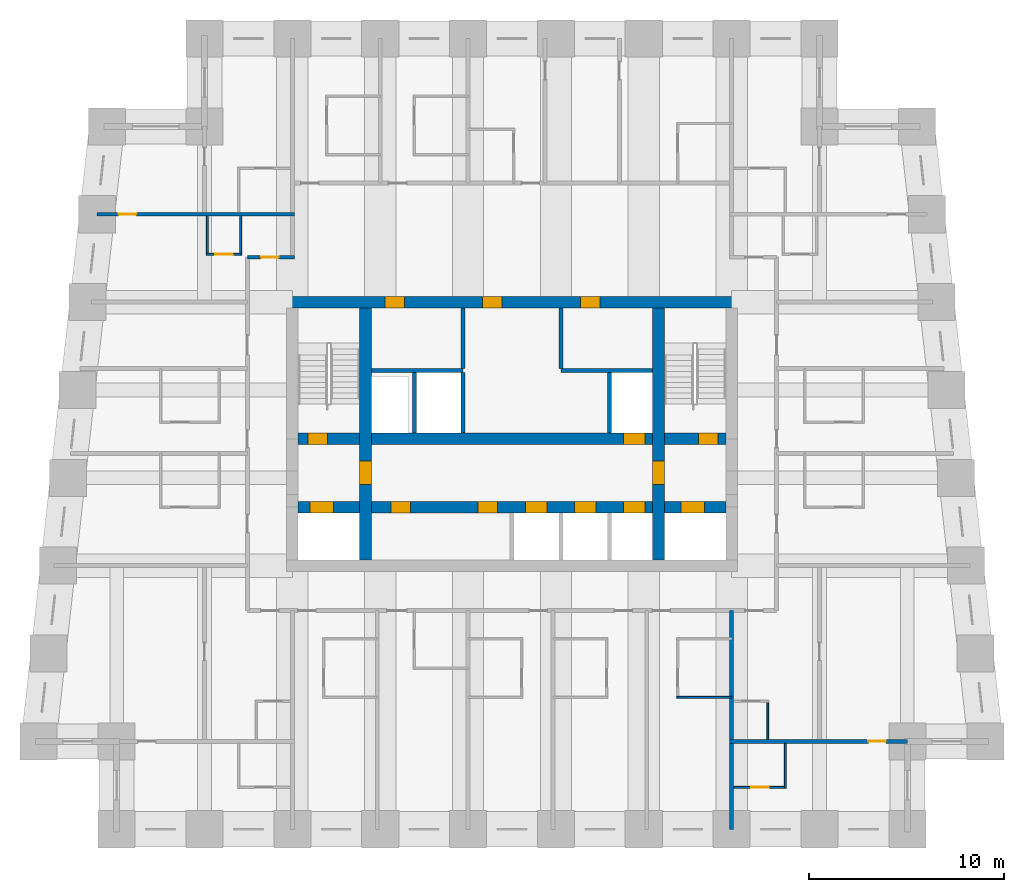
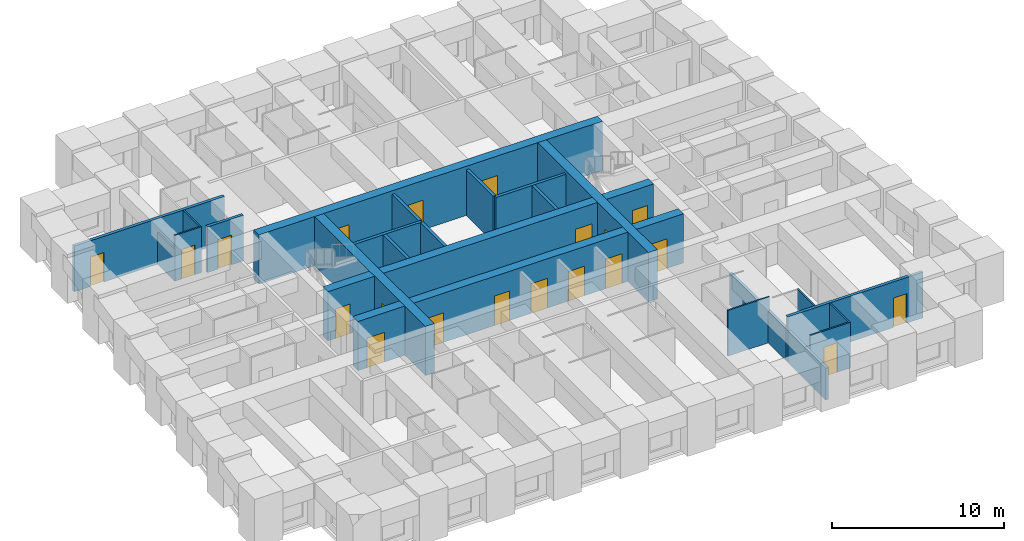
# One storey, part 4 of 8: 23 walls, 20 doors, 20 openings.
"""IFC4 building model written with IfcOpenShell, lengths in metres."""

import ifcopenshell
import ifcopenshell.guid

model = None  # the IFC model being written
_history = None  # IfcOwnerHistory: only IFC2X3 demands one
_inside = {}  # id of a spatial element -> (the spatial element, [elements in it])
_under = {}  # id of a project, library or spatial element -> (it, [spatial elements below it])
_declared = {}  # id of a project -> (the project, [libraries it declares])
_typed = {}  # id of a type object -> (the type object, [elements of that type])
_made_of = {}  # id of a material, layer set ... -> (it, [elements and type objects made of it])


def new_model(schema):
    """Start an empty IFC model of exactly this schema.

    Asked for "IFC4X3", IfcOpenShell would pick the latest addendum, in which some entities
    have other attributes; the version numbers below select the first issue.
    IFC2X3 requires an IfcOwnerHistory on every rooted entity: one is made here for all.
    """
    global model, _history
    if schema == "IFC4X3":
        model = ifcopenshell.file(schema_version=(4, 3, 0, 0))
    else:
        model = ifcopenshell.file(schema=schema)
    _inside.clear()
    _under.clear()
    _declared.clear()
    _typed.clear()
    _made_of.clear()
    _history = None
    if model.schema == "IFC2X3":
        org = make("IfcOrganization", Name="unknown")
        user = make(
            "IfcPersonAndOrganization",
            ThePerson=make("IfcPerson", FamilyName="unknown"),
            TheOrganization=org,
        )
        app = make(
            "IfcApplication",
            ApplicationDeveloper=org,
            Version="unknown",
            ApplicationFullName="unknown",
            ApplicationIdentifier="unknown",
        )
        _history = make(
            "IfcOwnerHistory",
            OwningUser=user,
            OwningApplication=app,
            ChangeAction="ADDED",
            CreationDate=0,
        )
    return model


def make(cls, **values):
    """One entity of the class cls with the attributes given. An attribute that is None is left unset."""
    return model.create_entity(
        cls, **{name: value for name, value in values.items() if value is not None}
    )


def rooted(cls, **values):
    """An entity with a GlobalId (a new one), such as an element, a storey or a relation."""
    return make(cls, GlobalId=ifcopenshell.guid.new(), OwnerHistory=_history, **values)


def si_unit(unit_type, name, prefix=None):
    """IfcSIUnit, for example si_unit("LENGTHUNIT", "METRE", prefix="MILLI")."""
    return make("IfcSIUnit", UnitType=unit_type, Prefix=prefix, Name=name)


def assignment(units):
    """IfcUnitAssignment: the units of a project."""
    return None if units is None else make("IfcUnitAssignment", Units=units)


def point(xyz):
    """IfcCartesianPoint."""
    return None if xyz is None else make("IfcCartesianPoint", Coordinates=xyz)


def direction(xyz):
    """IfcDirection."""
    return None if xyz is None else make("IfcDirection", DirectionRatios=xyz)


def frame(location, z_axis=None, x_axis=None):
    """IfcAxis2Placement3D, a coordinate frame: its origin and axes. An axis left out is left unset."""
    return make(
        "IfcAxis2Placement3D",
        Location=point(location),
        Axis=direction(z_axis),
        RefDirection=direction(x_axis),
    )


def frame_2d(location, x_axis=None):
    """IfcAxis2Placement2D, a coordinate frame in the plane: its origin and x axis."""
    return make(
        "IfcAxis2Placement2D", Location=point(location), RefDirection=direction(x_axis)
    )


def origin():
    """The frame at (0, 0, 0) with its axes left unset."""
    return frame((0.0, 0.0, 0.0))


def place(relative_to, where):
    """IfcLocalPlacement: puts the frame where relative to a parent placement (None: the world)."""
    return make(
        "IfcLocalPlacement", PlacementRelTo=relative_to, RelativePlacement=where
    )


def context(
    kind, dimensions, precision=None, world=None, true_north=None, identifier=None
):
    """IfcGeometricRepresentationContext, for example the 3D "Model" context."""
    return make(
        "IfcGeometricRepresentationContext",
        ContextIdentifier=identifier,
        ContextType=kind,
        CoordinateSpaceDimension=dimensions,
        Precision=precision,
        WorldCoordinateSystem=world,
        TrueNorth=true_north,
    )


def subcontext(parent, identifier, kind, view, scale=None):
    """IfcGeometricRepresentationSubContext, for example "Body" below "Model"."""
    return make(
        "IfcGeometricRepresentationSubContext",
        ContextIdentifier=identifier,
        ContextType=kind,
        ParentContext=parent,
        TargetScale=scale,
        TargetView=view,
    )


def project(units=None, contexts=None):
    """IfcProject with its units and contexts."""
    return rooted(
        "IfcProject",
        Name="project",
        RepresentationContexts=contexts,
        UnitsInContext=assignment(units),
    )


def spatial(cls, under=None, at=None, **own):
    """A site, building, storey or space (cls), placed at a placement, below another one or the project."""
    s = rooted(cls, ObjectPlacement=at, **own)
    if under is not None:
        _under.setdefault(under.id(), (under, []))[1].append(s)
    return s


def profile(cls, at=None, kind="AREA", **sizes):
    """A parametric profile (cls). Its sizes go by their IFC names, for example OverallWidth=200.0."""
    return make(cls, ProfileType=kind, Position=at, **sizes)


def rectangle(**sizes):
    """IfcRectangleProfileDef."""
    return profile("IfcRectangleProfileDef", **sizes)


def extrude(swept, where, along, depth):
    """IfcExtrudedAreaSolid: the profile swept, set in the frame where, extruded along a direction by depth."""
    return make(
        "IfcExtrudedAreaSolid",
        SweptArea=swept,
        Position=where,
        ExtrudedDirection=direction(along),
        Depth=depth,
    )


def shape(context_of_items, identifier, shape_type, items):
    """IfcShapeRepresentation: the items that make up one representation, for example the "Body"."""
    return make(
        "IfcShapeRepresentation",
        ContextOfItems=context_of_items,
        RepresentationIdentifier=identifier,
        RepresentationType=shape_type,
        Items=items,
    )


def material(Name=None, Category=None):
    """IfcMaterial."""
    return make("IfcMaterial", Name=Name, Category=Category)


def layer(
    of_material, thickness, ventilated=None, Name=None, Category=None, Priority=None
):
    """IfcMaterialLayer: one layer of a wall or slab, of a material (None: an air gap)."""
    return make(
        "IfcMaterialLayer",
        Material=of_material,
        LayerThickness=thickness,
        IsVentilated=ventilated,
        Name=Name,
        Category=Category,
        Priority=Priority,
    )


def layer_set(layers, Name=None):
    """IfcMaterialLayerSet."""
    return make("IfcMaterialLayerSet", MaterialLayers=layers, LayerSetName=Name)


def made_of(thing, what):
    """Note that an element or type object is made of a material, layer set ...; save() writes the relation."""
    if what is not None:
        _made_of.setdefault(what.id(), (what, []))[1].append(thing)
    return thing


def type_object(cls, material=None, **own):
    """A type object (cls), such as IfcWallType, which elements share."""
    return made_of(rooted(cls, **own), material)


def element(
    cls,
    number,
    at=None,
    inside=None,
    cuts=None,
    type_object=None,
    material=None,
    context=None,
    identifier="Body",
    shape_type=None,
    held_by="IfcProductDefinitionShape",
    body=None,
    shapes=None,
    **own,
):
    """One element of the class cls, such as IfcWall. Its Tag is "e" and its number.

    at: its placement. inside: the storey or other place that contains it. cuts: it is an
    opening in that element (IfcRelVoidsElement). A single representation is given by context,
    identifier, shape_type and body (its items); several are given by shapes. held_by: the class
    of the entity that holds the representations. save() writes the other relations.
    """
    e = rooted(cls, Tag="e%d" % number, ObjectPlacement=at, **own)
    if body is not None:
        shapes = [shape(context, identifier, shape_type, body)]
    if shapes is not None:
        e.Representation = make(held_by, Representations=shapes)
    if inside is not None:
        _inside.setdefault(inside.id(), (inside, []))[1].append(e)
    if cuts is not None:
        rooted(
            "IfcRelVoidsElement", RelatingBuildingElement=cuts, RelatedOpeningElement=e
        )
    if type_object is not None:
        _typed.setdefault(type_object.id(), (type_object, []))[1].append(e)
    return made_of(e, material)


def fill(opening, filler):
    """IfcRelFillsElement: the door or window that sits in an opening."""
    return rooted(
        "IfcRelFillsElement",
        RelatingOpeningElement=opening,
        RelatedBuildingElement=filler,
    )


def aggregate(whole, parts):
    """IfcRelAggregates: a whole, such as a stair, and the parts it consists of."""
    return rooted("IfcRelAggregates", RelatingObject=whole, RelatedObjects=parts)


def save(model, path):
    """Write the relations noted so far, then the file.

    IfcRelAggregates (storeys below a building ...), IfcRelContainedInSpatialStructure (elements
    in a storey), IfcRelDefinesByType, IfcRelAssociatesMaterial and IfcRelDeclares: one each for
    every whole, place, type object, material and project.
    """
    for whole, parts in _under.values():
        aggregate(whole, parts)
    for where, things in _inside.values():
        rooted(
            "IfcRelContainedInSpatialStructure",
            RelatedElements=things,
            RelatingStructure=where,
        )
    for kind, things in _typed.values():
        rooted("IfcRelDefinesByType", RelatedObjects=things, RelatingType=kind)
    for what, things in _made_of.values():
        rooted("IfcRelAssociatesMaterial", RelatedObjects=things, RelatingMaterial=what)
    for by, libraries in _declared.values():
        rooted("IfcRelDeclares", RelatingContext=by, RelatedDefinitions=libraries)
    model.write(path)


model = new_model("IFC4")

# Units and contexts
model_context = context("Model", 3, precision=1e-05, world=origin(), true_north=direction((0.0, 1.0)))
body_context = subcontext(model_context, "Body", "Model", "MODEL_VIEW")
ifc_project = project(units=[si_unit("LENGTHUNIT", "METRE"), si_unit("AREAUNIT", "SQUARE_METRE"), si_unit("VOLUMEUNIT", "CUBIC_METRE"), si_unit("PLANEANGLEUNIT", "RADIAN"), si_unit("MASSUNIT", "GRAM", prefix="KILO")], contexts=[model_context])

# Site, building, storey
site_placement = place(None, origin())
site = spatial("IfcSite", under=ifc_project, at=site_placement, CompositionType="ELEMENT")
building_placement = place(site_placement, origin())
building = spatial("IfcBuilding", under=site, at=building_placement, Name="Kilele Tower Hotel", CompositionType="ELEMENT")
storey_placement = place(building_placement, frame((0.0, 0.0, 107.39990234375)))
storey = spatial("IfcBuildingStorey", under=building, at=storey_placement, Name="L27", CompositionType="ELEMENT", Elevation=107.39990234375)

# Walls
ifc_material_1 = material(Name="Moisture-resistant board")
ifc_layer_1 = layer(ifc_material_1, 0.10009765625)
ifc_layer_set_1 = layer_set([ifc_layer_1], Name="Moisture-resistant board")
wall_type_1 = type_object("IfcWallType", Name="Bathroom partition 100", PredefinedType="PLUMBINGWALL", material=ifc_layer_set_1)
wall_1_placement = place(storey_placement, frame((33.199951171875, 6.75, 0.0), z_axis=(0.0, 0.0, 1.0), x_axis=(1.0, 0.0, 0.0)))
element("IfcWall", 1, at=wall_1_placement, inside=storey, type_object=wall_type_1, Name="Bathroom partition 100 L27", PredefinedType="PLUMBINGWALL", context=body_context, shape_type="SweptSolid", body=[
    extrude(rectangle(XDim=2.800048828125, YDim=0.10009765625, at=frame_2d((1.39990234375, 0.0))), origin(), (0.0, 0.0, 1.0), 3.25),
])
wall_2_placement = place(storey_placement, frame((37.85009765625, 4.60009765625, 0.0), z_axis=(0.0, 0.0, 1.0), x_axis=(0.0, 1.0, 0.0)))
element("IfcWall", 2, at=wall_2_placement, inside=storey, type_object=wall_type_1, Name="Bathroom partition 100 L27", PredefinedType="PLUMBINGWALL", context=body_context, shape_type="SweptSolid", body=[
    extrude(rectangle(XDim=2.0, YDim=0.10009765625, at=frame_2d((1.0, 0.0))), origin(), (0.0, 0.0, 1.0), 3.25),
])
wall_3_placement = place(storey_placement, frame((38.75, 4.39990234375, 0.0), z_axis=(0.0, 0.0, 1.0), x_axis=(0.0, -1.0, 0.0)))
element("IfcWall", 3, at=wall_3_placement, inside=storey, type_object=wall_type_1, Name="Bathroom partition 100 L27", PredefinedType="PLUMBINGWALL", context=body_context, shape_type="SweptSolid", body=[
    extrude(rectangle(XDim=2.2998046875, YDim=0.10009765625, at=frame_2d((1.14990234375, 0.0))), origin(), (0.0, 0.0, 1.0), 3.25),
])

# Wall, opening, door
wall_4_placement = place(storey_placement, frame((36.10009765625, 2.14990234375, 0.0), z_axis=(0.0, 0.0, 1.0), x_axis=(1.0, 0.0, 0.0)))
wall_4 = element("IfcWall", 4, at=wall_4_placement, inside=storey, type_object=wall_type_1, Name="Bathroom partition 100 L27", PredefinedType="PLUMBINGWALL", context=body_context, shape_type="SweptSolid", body=[
    extrude(rectangle(XDim=2.699951171875, YDim=0.10009765625, at=frame_2d((1.35009765625, 0.0))), origin(), (0.0, 0.0, 1.0), 3.25),
])
opening_1_placement = place(wall_4_placement, frame((1.7998046875, 0.0, 0.0), z_axis=(0.0, 0.0, 1.0), x_axis=(-1.0, 0.0, 0.0)))
opening_1 = element("IfcOpeningElement", 5, at=opening_1_placement, cuts=wall_4, Name="Opening D2A", PredefinedType="OPENING", context=body_context, shape_type="SweptSolid", body=[
    extrude(rectangle(XDim=0.89990234375, YDim=2.10009765625, at=frame_2d((0.449951171875, 1.050048828125))), frame((0.0, 0.06005859375, 0.0), z_axis=(0.0, -1.0, 0.0), x_axis=(1.0, 0.0, 0.0)), (0.0, 0.0, 1.0), 0.1201171875),
])
ifc_material_2 = material(Name="Timber door leaf in hardwood frame", Category="wood")
door_type_1 = type_object("IfcDoorType", Name="Bathroom door 900", OperationType="SINGLE_SWING_LEFT", PredefinedType="DOOR", material=ifc_material_2)
door_1_placement = place(opening_1_placement, origin())
door_1 = element("IfcDoor", 6, at=door_1_placement, inside=storey, type_object=door_type_1, Name="Bathroom door 2722B", OperationType="SINGLE_SWING_RIGHT", OverallHeight=2.10009765625, OverallWidth=0.89990234375, PredefinedType="DOOR", context=body_context, shape_type="SweptSolid", body=[
    extrude(rectangle(XDim=0.89990234375, YDim=2.10009765625, at=frame_2d((0.449951171875, 1.050048828125))), frame((0.0, 0.02490234375, 0.0), z_axis=(0.0, -1.0, 0.0), x_axis=(1.0, 0.0, 0.0)), (0.0, 0.0, 1.0), 0.050048828125),
])
fill(opening_1, door_1)

# Walls
wall_5_placement = place(storey_placement, frame((9.14990234375, 31.39990234375, 0.0), z_axis=(0.0, 0.0, 1.0), x_axis=(0.0, -1.0, 0.0)))
element("IfcWall", 7, at=wall_5_placement, inside=storey, type_object=wall_type_1, Name="Bathroom partition 100 L27", PredefinedType="PLUMBINGWALL", context=body_context, shape_type="SweptSolid", body=[
    extrude(rectangle(XDim=2.0, YDim=0.10009765625, at=frame_2d((1.0, 0.0))), origin(), (0.0, 0.0, 1.0), 2.25),
])
wall_6_placement = place(storey_placement, frame((10.85009765625, 31.39990234375, 0.0), z_axis=(0.0, 0.0, 1.0), x_axis=(0.0, -1.0, 0.0)))
element("IfcWall", 8, at=wall_6_placement, inside=storey, type_object=wall_type_1, Name="Bathroom partition 100 L27", PredefinedType="PLUMBINGWALL", context=body_context, shape_type="SweptSolid", body=[
    extrude(rectangle(XDim=2.0, YDim=0.10009765625, at=frame_2d((1.0, 0.0))), origin(), (0.0, 0.0, 1.0), 3.25),
])

# Wall, opening, door
wall_7_placement = place(storey_placement, frame((10.89990234375, 29.449951171875, 0.0), z_axis=(0.0, 0.0, 1.0), x_axis=(-1.0, 0.0, 0.0)))
wall_7 = element("IfcWall", 9, at=wall_7_placement, inside=storey, type_object=wall_type_1, Name="Bathroom partition 100 L27", PredefinedType="PLUMBINGWALL", context=body_context, shape_type="SweptSolid", body=[
    extrude(rectangle(XDim=1.7998046875, YDim=0.10009765625, at=frame_2d((0.89990234375, 0.0))), origin(), (0.0, 0.0, 1.0), 3.25),
])
opening_2_placement = place(wall_7_placement, frame((0.449951171875, 0.0, 0.0)))
opening_2 = element("IfcOpeningElement", 10, at=opening_2_placement, cuts=wall_7, Name="Opening D2A", PredefinedType="OPENING", context=body_context, shape_type="SweptSolid", body=[
    extrude(rectangle(XDim=0.89990234375, YDim=2.10009765625, at=frame_2d((0.449951171875, 1.050048828125))), frame((0.0, 0.06005859375, 0.0), z_axis=(0.0, -1.0, 0.0), x_axis=(1.0, 0.0, 0.0)), (0.0, 0.0, 1.0), 0.1201171875),
])
door_2_placement = place(opening_2_placement, origin())
door_2 = element("IfcDoor", 11, at=door_2_placement, inside=storey, type_object=door_type_1, Name="Bathroom door 2726P", OperationType="SINGLE_SWING_LEFT", OverallHeight=2.10009765625, OverallWidth=0.89990234375, PredefinedType="DOOR", context=body_context, shape_type="SweptSolid", body=[
    extrude(rectangle(XDim=0.89990234375, YDim=2.10009765625, at=frame_2d((0.449951171875, 1.050048828125))), frame((0.0, 0.02490234375, 0.0), z_axis=(0.0, -1.0, 0.0), x_axis=(1.0, 0.0, 0.0)), (0.0, 0.0, 1.0), 0.050048828125),
])
fill(opening_2, door_2)

# Wall, openings, doors
ifc_material_3 = material(Name="Concrete C60/75", Category="concrete")
ifc_layer_2 = layer(ifc_material_3, 0.60009765625)
ifc_layer_set_2 = layer_set([ifc_layer_2], Name="Concrete C60/75")
wall_type_2 = type_object("IfcWallType", Name="Core wall 600 C60/75", PredefinedType="SHEAR", material=ifc_layer_set_2)
wall_8_placement = place(storey_placement, frame((36.300048828125, 27.0, 0.0), z_axis=(0.0, 0.0, 1.0), x_axis=(-1.0, 0.0, 0.0)))
wall_8 = element("IfcWall", 12, at=wall_8_placement, inside=storey, type_object=wall_type_2, Name="Core wall N L27", PredefinedType="SHEAR", context=body_context, shape_type="SweptSolid", body=[
    extrude(rectangle(XDim=23.10009765625, YDim=0.60009765625, at=frame_2d((11.550048828125, 0.0))), origin(), (0.0, 0.0, 1.0), 3.5),
])
opening_3_placement = place(wall_8_placement, frame((17.050048828125, 0.0, 0.0)))
opening_3 = element("IfcOpeningElement", 13, at=opening_3_placement, cuts=wall_8, Name="Opening D6", PredefinedType="OPENING", context=body_context, shape_type="SweptSolid", body=[
    extrude(rectangle(XDim=1.0, YDim=2.10009765625, at=frame_2d((0.5, 1.050048828125))), frame((0.0, 0.31005859375, 0.0), z_axis=(0.0, -1.0, 0.0), x_axis=(1.0, 0.0, 0.0)), (0.0, 0.0, 1.0), 0.6201171875),
])
opening_4_placement = place(wall_8_placement, frame((12.050048828125, 0.0, 0.0)))
opening_4 = element("IfcOpeningElement", 14, at=opening_4_placement, cuts=wall_8, Name="Opening D6", PredefinedType="OPENING", context=body_context, shape_type="SweptSolid", body=[
    extrude(rectangle(XDim=1.0, YDim=2.10009765625, at=frame_2d((0.5, 1.050048828125))), frame((0.0, 0.31005859375, 0.0), z_axis=(0.0, -1.0, 0.0), x_axis=(1.0, 0.0, 0.0)), (0.0, 0.0, 1.0), 0.6201171875),
])
opening_5_placement = place(wall_8_placement, frame((7.050048828125, 0.0, 0.0)))
opening_5 = element("IfcOpeningElement", 15, at=opening_5_placement, cuts=wall_8, Name="Opening D6", PredefinedType="OPENING", context=body_context, shape_type="SweptSolid", body=[
    extrude(rectangle(XDim=1.0, YDim=2.10009765625, at=frame_2d((0.5, 1.050048828125))), frame((0.0, 0.31005859375, 0.0), z_axis=(0.0, -1.0, 0.0), x_axis=(1.0, 0.0, 0.0)), (0.0, 0.0, 1.0), 0.6201171875),
])
ifc_material_4 = material(Name="Timber door leaf in hardwood frame", Category="wood")
door_type_2 = type_object("IfcDoorType", Name="Riser door 1000", OperationType="SINGLE_SWING_LEFT", PredefinedType="DOOR", material=ifc_material_4)
door_3_placement = place(opening_3_placement, origin())
door_3 = element("IfcDoor", 16, at=door_3_placement, inside=storey, type_object=door_type_2, Name="Service riser door L27", OperationType="SINGLE_SWING_RIGHT", OverallHeight=2.10009765625, OverallWidth=1.0, PredefinedType="DOOR", context=body_context, shape_type="SweptSolid", body=[
    extrude(rectangle(XDim=1.0, YDim=2.10009765625, at=frame_2d((0.5, 1.050048828125))), frame((0.0, 0.2998046875, 0.0), z_axis=(0.0, -1.0, 0.0), x_axis=(1.0, 0.0, 0.0)), (0.0, 0.0, 1.0), 0.599609375),
])
fill(opening_3, door_3)
door_4_placement = place(opening_4_placement, origin())
door_4 = element("IfcDoor", 17, at=door_4_placement, inside=storey, type_object=door_type_2, Name="Housekeeping linen room door L27", OperationType="SINGLE_SWING_RIGHT", OverallHeight=2.10009765625, OverallWidth=1.0, PredefinedType="DOOR", context=body_context, shape_type="SweptSolid", body=[
    extrude(rectangle(XDim=1.0, YDim=2.10009765625, at=frame_2d((0.5, 1.050048828125))), frame((0.0, 0.2998046875, 0.0), z_axis=(0.0, -1.0, 0.0), x_axis=(1.0, 0.0, 0.0)), (0.0, 0.0, 1.0), 0.599609375),
])
fill(opening_4, door_4)
door_5_placement = place(opening_5_placement, origin())
door_5 = element("IfcDoor", 18, at=door_5_placement, inside=storey, type_object=door_type_2, Name="Electrical riser door L27", OperationType="SINGLE_SWING_RIGHT", OverallHeight=2.10009765625, OverallWidth=1.0, PredefinedType="DOOR", context=body_context, shape_type="SweptSolid", body=[
    extrude(rectangle(XDim=1.0, YDim=2.10009765625, at=frame_2d((0.5, 1.050048828125))), frame((0.0, 0.2998046875, 0.0), z_axis=(0.0, -1.0, 0.0), x_axis=(1.0, 0.0, 0.0)), (0.0, 0.0, 1.0), 0.599609375),
])
fill(opening_5, door_5)

# Wall, opening, door
wall_9_placement = place(storey_placement, frame((17.25, 13.800048828125, 0.0), z_axis=(0.0, 0.0, 1.0), x_axis=(0.0, 1.0, 0.0)))
wall_9 = element("IfcWall", 19, at=wall_9_placement, inside=storey, type_object=wall_type_2, Name="Core wall IW L27", PredefinedType="SHEAR", context=body_context, shape_type="SweptSolid", body=[
    extrude(rectangle(XDim=12.89990234375, YDim=0.60009765625, at=frame_2d((6.449951171875, 0.0))), origin(), (0.0, 0.0, 1.0), 3.5),
])
opening_6_placement = place(wall_9_placement, frame((3.85009765625, 0.0, 0.0)))
opening_6 = element("IfcOpeningElement", 20, at=opening_6_placement, cuts=wall_9, Name="Opening D4", PredefinedType="OPENING", context=body_context, shape_type="SweptSolid", body=[
    extrude(rectangle(XDim=1.199951171875, YDim=2.10009765625, at=frame_2d((0.60009765625, 1.050048828125))), frame((0.0, 0.31005859375, 0.0), z_axis=(0.0, -1.0, 0.0), x_axis=(1.0, 0.0, 0.0)), (0.0, 0.0, 1.0), 0.6201171875),
])
ifc_material_5 = material(Name="Timber door leaf in hardwood frame", Category="wood")
door_type_3 = type_object("IfcDoorType", Name="Firefighting lobby door 1200", OperationType="SINGLE_SWING_LEFT", PredefinedType="DOOR", material=ifc_material_5)
door_6_placement = place(opening_6_placement, origin())
door_6 = element("IfcDoor", 21, at=door_6_placement, inside=storey, type_object=door_type_3, Name="Lobby door L27", OperationType="SINGLE_SWING_LEFT", OverallHeight=2.10009765625, OverallWidth=1.199951171875, PredefinedType="DOOR", context=body_context, shape_type="SweptSolid", body=[
    extrude(rectangle(XDim=1.199951171875, YDim=2.10009765625, at=frame_2d((0.60009765625, 1.050048828125))), frame((0.0, 0.2998046875, 0.0), z_axis=(0.0, -1.0, 0.0), x_axis=(1.0, 0.0, 0.0)), (0.0, 0.0, 1.0), 0.599609375),
])
fill(opening_6, door_6)

wall_10_placement = place(storey_placement, frame((32.25, 13.800048828125, 0.0), z_axis=(0.0, 0.0, 1.0), x_axis=(0.0, 1.0, 0.0)))
wall_10 = element("IfcWall", 22, at=wall_10_placement, inside=storey, type_object=wall_type_2, Name="Core wall IE L27", PredefinedType="SHEAR", context=body_context, shape_type="SweptSolid", body=[
    extrude(rectangle(XDim=12.89990234375, YDim=0.60009765625, at=frame_2d((6.449951171875, 0.0))), origin(), (0.0, 0.0, 1.0), 3.5),
])
opening_7_placement = place(wall_10_placement, frame((5.050048828125, 0.0, 0.0), z_axis=(0.0, 0.0, 1.0), x_axis=(-1.0, 0.0, 0.0)))
opening_7 = element("IfcOpeningElement", 23, at=opening_7_placement, cuts=wall_10, Name="Opening D4", PredefinedType="OPENING", context=body_context, shape_type="SweptSolid", body=[
    extrude(rectangle(XDim=1.199951171875, YDim=2.10009765625, at=frame_2d((0.60009765625, 1.050048828125))), frame((0.0, 0.31005859375, 0.0), z_axis=(0.0, -1.0, 0.0), x_axis=(1.0, 0.0, 0.0)), (0.0, 0.0, 1.0), 0.6201171875),
])
door_7_placement = place(opening_7_placement, origin())
door_7 = element("IfcDoor", 24, at=door_7_placement, inside=storey, type_object=door_type_3, Name="Lobby door L27", OperationType="SINGLE_SWING_RIGHT", OverallHeight=2.10009765625, OverallWidth=1.199951171875, PredefinedType="DOOR", context=body_context, shape_type="SweptSolid", body=[
    extrude(rectangle(XDim=1.199951171875, YDim=2.10009765625, at=frame_2d((0.60009765625, 1.050048828125))), frame((0.0, 0.2998046875, 0.0), z_axis=(0.0, -1.0, 0.0), x_axis=(1.0, 0.0, 0.0)), (0.0, 0.0, 1.0), 0.599609375),
])
fill(opening_7, door_7)

# Wall, openings, doors
wall_11_placement = place(storey_placement, frame((13.800048828125, 16.5, 0.0), z_axis=(0.0, 0.0, 1.0), x_axis=(1.0, 0.0, 0.0)))
wall_11 = element("IfcWall", 25, at=wall_11_placement, inside=storey, type_object=wall_type_2, Name="Core wall LS L27", PredefinedType="SHEAR", context=body_context, shape_type="SweptSolid", body=[
    extrude(rectangle(XDim=21.89990234375, YDim=0.60009765625, at=frame_2d((10.949951171875, 0.0))), origin(), (0.0, 0.0, 1.0), 3.5),
])
opening_8_placement = place(wall_11_placement, frame((11.64990234375, 0.0, 0.0)))
opening_8 = element("IfcOpeningElement", 26, at=opening_8_placement, cuts=wall_11, Name="Opening LD1", PredefinedType="OPENING", context=body_context, shape_type="SweptSolid", body=[
    extrude(rectangle(XDim=1.10009765625, YDim=2.10009765625, at=frame_2d((0.550048828125, 1.050048828125))), frame((0.0, 0.31005859375, 0.0), z_axis=(0.0, -1.0, 0.0), x_axis=(1.0, 0.0, 0.0)), (0.0, 0.0, 1.0), 0.6201171875),
])
opening_9_placement = place(wall_11_placement, frame((14.14990234375, 0.0, 0.0)))
opening_9 = element("IfcOpeningElement", 27, at=opening_9_placement, cuts=wall_11, Name="Opening LD1", PredefinedType="OPENING", context=body_context, shape_type="SweptSolid", body=[
    extrude(rectangle(XDim=1.10009765625, YDim=2.10009765625, at=frame_2d((0.550048828125, 1.050048828125))), frame((0.0, 0.31005859375, 0.0), z_axis=(0.0, -1.0, 0.0), x_axis=(1.0, 0.0, 0.0)), (0.0, 0.0, 1.0), 0.6201171875),
])
opening_10_placement = place(wall_11_placement, frame((16.64990234375, 0.0, 0.0)))
opening_10 = element("IfcOpeningElement", 28, at=opening_10_placement, cuts=wall_11, Name="Opening LD1", PredefinedType="OPENING", context=body_context, shape_type="SweptSolid", body=[
    extrude(rectangle(XDim=1.10009765625, YDim=2.10009765625, at=frame_2d((0.550048828125, 1.050048828125))), frame((0.0, 0.31005859375, 0.0), z_axis=(0.0, -1.0, 0.0), x_axis=(1.0, 0.0, 0.0)), (0.0, 0.0, 1.0), 0.6201171875),
])
opening_11_placement = place(wall_11_placement, frame((5.75, 0.0, 0.0), z_axis=(0.0, 0.0, 1.0), x_axis=(-1.0, 0.0, 0.0)))
opening_11 = element("IfcOpeningElement", 29, at=opening_11_placement, cuts=wall_11, Name="Opening D11", PredefinedType="OPENING", context=body_context, shape_type="SweptSolid", body=[
    extrude(rectangle(XDim=1.0, YDim=2.10009765625, at=frame_2d((0.5, 1.050048828125))), frame((0.0, 0.31005859375, 0.0), z_axis=(0.0, -1.0, 0.0), x_axis=(1.0, 0.0, 0.0)), (0.0, 0.0, 1.0), 0.6201171875),
])
opening_12_placement = place(wall_11_placement, frame((10.199951171875, 0.0, 0.0), z_axis=(0.0, 0.0, 1.0), x_axis=(-1.0, 0.0, 0.0)))
opening_12 = element("IfcOpeningElement", 30, at=opening_12_placement, cuts=wall_11, Name="Opening D11", PredefinedType="OPENING", context=body_context, shape_type="SweptSolid", body=[
    extrude(rectangle(XDim=1.0, YDim=2.10009765625, at=frame_2d((0.5, 1.050048828125))), frame((0.0, 0.31005859375, 0.0), z_axis=(0.0, -1.0, 0.0), x_axis=(1.0, 0.0, 0.0)), (0.0, 0.0, 1.0), 0.6201171875),
])
opening_13_placement = place(wall_11_placement, frame((0.60009765625, 0.0, 0.0)))
opening_13 = element("IfcOpeningElement", 31, at=opening_13_placement, cuts=wall_11, Name="Opening LD2", PredefinedType="OPENING", context=body_context, shape_type="SweptSolid", body=[
    extrude(rectangle(XDim=1.199951171875, YDim=2.10009765625, at=frame_2d((0.60009765625, 1.050048828125))), frame((0.0, 0.31005859375, 0.0), z_axis=(0.0, -1.0, 0.0), x_axis=(1.0, 0.0, 0.0)), (0.0, 0.0, 1.0), 0.6201171875),
])
opening_14_placement = place(wall_11_placement, frame((19.60009765625, 0.0, 0.0)))
opening_14 = element("IfcOpeningElement", 32, at=opening_14_placement, cuts=wall_11, Name="Opening LD2", PredefinedType="OPENING", context=body_context, shape_type="SweptSolid", body=[
    extrude(rectangle(XDim=1.199951171875, YDim=2.10009765625, at=frame_2d((0.60009765625, 1.050048828125))), frame((0.0, 0.31005859375, 0.0), z_axis=(0.0, -1.0, 0.0), x_axis=(1.0, 0.0, 0.0)), (0.0, 0.0, 1.0), 0.6201171875),
])
ifc_material_6 = material(Name="Timber door leaf in hardwood frame", Category="wood")
door_type_4 = type_object("IfcDoorType", Name="Core store door 1000", OperationType="SINGLE_SWING_LEFT", PredefinedType="DOOR", material=ifc_material_6)
door_8_placement = place(opening_11_placement, origin())
door_8 = element("IfcDoor", 33, at=door_8_placement, inside=storey, type_object=door_type_4, Name="Core room door L1 L27", OperationType="SINGLE_SWING_RIGHT", OverallHeight=2.10009765625, OverallWidth=1.0, PredefinedType="DOOR", context=body_context, shape_type="SweptSolid", body=[
    extrude(rectangle(XDim=1.0, YDim=2.10009765625, at=frame_2d((0.5, 1.050048828125))), frame((0.0, 0.2998046875, 0.0), z_axis=(0.0, -1.0, 0.0), x_axis=(1.0, 0.0, 0.0)), (0.0, 0.0, 1.0), 0.599609375),
])
fill(opening_11, door_8)
door_9_placement = place(opening_12_placement, origin())
door_9 = element("IfcDoor", 34, at=door_9_placement, inside=storey, type_object=door_type_4, Name="Core room door L3 L27", OperationType="SINGLE_SWING_LEFT", OverallHeight=2.10009765625, OverallWidth=1.0, PredefinedType="DOOR", context=body_context, shape_type="SweptSolid", body=[
    extrude(rectangle(XDim=1.0, YDim=2.10009765625, at=frame_2d((0.5, 1.050048828125))), frame((0.0, 0.2998046875, 0.0), z_axis=(0.0, -1.0, 0.0), x_axis=(1.0, 0.0, 0.0)), (0.0, 0.0, 1.0), 0.599609375),
])
fill(opening_12, door_9)
ifc_material_7 = material(Name="Steel lift landing door", Category="steel")
door_type_5 = type_object("IfcDoorType", Name="Firefighting lift landing door 1200", OperationType="SLIDING_TO_LEFT", PredefinedType="DOOR", material=ifc_material_7)
door_10_placement = place(opening_13_placement, origin())
door_10 = element("IfcDoor", 35, at=door_10_placement, inside=storey, type_object=door_type_5, Name="Landing door FFW L27", OperationType="SLIDING_TO_LEFT", OverallHeight=2.10009765625, OverallWidth=1.199951171875, PredefinedType="DOOR", context=body_context, shape_type="SweptSolid", body=[
    extrude(rectangle(XDim=1.199951171875, YDim=2.10009765625, at=frame_2d((0.60009765625, 1.050048828125))), frame((0.0, 0.2998046875, 0.0), z_axis=(0.0, -1.0, 0.0), x_axis=(1.0, 0.0, 0.0)), (0.0, 0.0, 1.0), 0.599609375),
])
fill(opening_13, door_10)
door_11_placement = place(opening_14_placement, origin())
door_11 = element("IfcDoor", 36, at=door_11_placement, inside=storey, type_object=door_type_5, Name="Landing door FFE L27", OperationType="SLIDING_TO_LEFT", OverallHeight=2.10009765625, OverallWidth=1.199951171875, PredefinedType="DOOR", context=body_context, shape_type="SweptSolid", body=[
    extrude(rectangle(XDim=1.199951171875, YDim=2.10009765625, at=frame_2d((0.60009765625, 1.050048828125))), frame((0.0, 0.2998046875, 0.0), z_axis=(0.0, -1.0, 0.0), x_axis=(1.0, 0.0, 0.0)), (0.0, 0.0, 1.0), 0.599609375),
])
fill(opening_14, door_11)
ifc_material_8 = material(Name="Steel lift landing door", Category="steel")
door_type_6 = type_object("IfcDoorType", Name="Lift landing door 1100", OperationType="SLIDING_TO_LEFT", PredefinedType="DOOR", material=ifc_material_8)
door_12_placement = place(opening_8_placement, origin())
door_12 = element("IfcDoor", 37, at=door_12_placement, inside=storey, type_object=door_type_6, Name="Landing door M1 L27", OperationType="SLIDING_TO_LEFT", OverallHeight=2.10009765625, OverallWidth=1.10009765625, PredefinedType="DOOR", context=body_context, shape_type="SweptSolid", body=[
    extrude(rectangle(XDim=1.10009765625, YDim=2.10009765625, at=frame_2d((0.550048828125, 1.050048828125))), frame((0.0, 0.2998046875, 0.0), z_axis=(0.0, -1.0, 0.0), x_axis=(1.0, 0.0, 0.0)), (0.0, 0.0, 1.0), 0.599609375),
])
fill(opening_8, door_12)
door_13_placement = place(opening_9_placement, origin())
door_13 = element("IfcDoor", 38, at=door_13_placement, inside=storey, type_object=door_type_6, Name="Landing door M2 L27", OperationType="SLIDING_TO_LEFT", OverallHeight=2.10009765625, OverallWidth=1.10009765625, PredefinedType="DOOR", context=body_context, shape_type="SweptSolid", body=[
    extrude(rectangle(XDim=1.10009765625, YDim=2.10009765625, at=frame_2d((0.550048828125, 1.050048828125))), frame((0.0, 0.2998046875, 0.0), z_axis=(0.0, -1.0, 0.0), x_axis=(1.0, 0.0, 0.0)), (0.0, 0.0, 1.0), 0.599609375),
])
fill(opening_9, door_13)
door_14_placement = place(opening_10_placement, origin())
door_14 = element("IfcDoor", 39, at=door_14_placement, inside=storey, type_object=door_type_6, Name="Landing door M3 L27", OperationType="SLIDING_TO_LEFT", OverallHeight=2.10009765625, OverallWidth=1.10009765625, PredefinedType="DOOR", context=body_context, shape_type="SweptSolid", body=[
    extrude(rectangle(XDim=1.10009765625, YDim=2.10009765625, at=frame_2d((0.550048828125, 1.050048828125))), frame((0.0, 0.2998046875, 0.0), z_axis=(0.0, -1.0, 0.0), x_axis=(1.0, 0.0, 0.0)), (0.0, 0.0, 1.0), 0.599609375),
])
fill(opening_10, door_14)

wall_12_placement = place(storey_placement, frame((13.800048828125, 20.0, 0.0), z_axis=(0.0, 0.0, 1.0), x_axis=(1.0, 0.0, 0.0)))
wall_12 = element("IfcWall", 40, at=wall_12_placement, inside=storey, type_object=wall_type_2, Name="Core wall LN L27", PredefinedType="SHEAR", context=body_context, shape_type="SweptSolid", body=[
    extrude(rectangle(XDim=21.89990234375, YDim=0.60009765625, at=frame_2d((10.949951171875, 0.0))), origin(), (0.0, 0.0, 1.0), 3.5),
])
opening_15_placement = place(wall_12_placement, frame((0.5, 0.0, 0.0)))
opening_15 = element("IfcOpeningElement", 41, at=opening_15_placement, cuts=wall_12, Name="Opening D5", PredefinedType="OPENING", context=body_context, shape_type="SweptSolid", body=[
    extrude(rectangle(XDim=1.0, YDim=2.10009765625, at=frame_2d((0.5, 1.050048828125))), frame((0.0, 0.31005859375, 0.0), z_axis=(0.0, -1.0, 0.0), x_axis=(1.0, 0.0, 0.0)), (0.0, 0.0, 1.0), 0.6201171875),
])
opening_16_placement = place(wall_12_placement, frame((20.5, 0.0, 0.0)))
opening_16 = element("IfcOpeningElement", 42, at=opening_16_placement, cuts=wall_12, Name="Opening D5", PredefinedType="OPENING", context=body_context, shape_type="SweptSolid", body=[
    extrude(rectangle(XDim=1.0, YDim=2.10009765625, at=frame_2d((0.5, 1.050048828125))), frame((0.0, 0.31005859375, 0.0), z_axis=(0.0, -1.0, 0.0), x_axis=(1.0, 0.0, 0.0)), (0.0, 0.0, 1.0), 0.6201171875),
])
opening_17_placement = place(wall_12_placement, frame((16.64990234375, 0.0, 0.0)))
opening_17 = element("IfcOpeningElement", 43, at=opening_17_placement, cuts=wall_12, Name="Opening LD1", PredefinedType="OPENING", context=body_context, shape_type="SweptSolid", body=[
    extrude(rectangle(XDim=1.10009765625, YDim=2.10009765625, at=frame_2d((0.550048828125, 1.050048828125))), frame((0.0, 0.31005859375, 0.0), z_axis=(0.0, -1.0, 0.0), x_axis=(1.0, 0.0, 0.0)), (0.0, 0.0, 1.0), 0.6201171875),
])
door_15_placement = place(opening_17_placement, origin())
door_15 = element("IfcDoor", 44, at=door_15_placement, inside=storey, type_object=door_type_6, Name="Landing door G1 L27", OperationType="SLIDING_TO_LEFT", OverallHeight=2.10009765625, OverallWidth=1.10009765625, PredefinedType="DOOR", context=body_context, shape_type="SweptSolid", body=[
    extrude(rectangle(XDim=1.10009765625, YDim=2.10009765625, at=frame_2d((0.550048828125, 1.050048828125))), frame((0.0, 0.2998046875, 0.0), z_axis=(0.0, -1.0, 0.0), x_axis=(1.0, 0.0, 0.0)), (0.0, 0.0, 1.0), 0.599609375),
])
fill(opening_17, door_15)
ifc_material_9 = material(Name="Timber door leaf in hardwood frame", Category="wood")
door_type_7 = type_object("IfcDoorType", Name="Stair door 1000", OperationType="SINGLE_SWING_LEFT", PredefinedType="DOOR", material=ifc_material_9)
door_16_placement = place(opening_15_placement, origin())
door_16 = element("IfcDoor", 45, at=door_16_placement, inside=storey, type_object=door_type_7, Name="Stair 1 door L27", OperationType="SINGLE_SWING_LEFT", OverallHeight=2.10009765625, OverallWidth=1.0, PredefinedType="DOOR", context=body_context, shape_type="SweptSolid", body=[
    extrude(rectangle(XDim=1.0, YDim=2.10009765625, at=frame_2d((0.5, 1.050048828125))), frame((0.0, 0.2998046875, 0.0), z_axis=(0.0, -1.0, 0.0), x_axis=(1.0, 0.0, 0.0)), (0.0, 0.0, 1.0), 0.599609375),
])
fill(opening_15, door_16)
door_17_placement = place(opening_16_placement, origin())
door_17 = element("IfcDoor", 46, at=door_17_placement, inside=storey, type_object=door_type_7, Name="Stair 2 door L27", OperationType="SINGLE_SWING_RIGHT", OverallHeight=2.10009765625, OverallWidth=1.0, PredefinedType="DOOR", context=body_context, shape_type="SweptSolid", body=[
    extrude(rectangle(XDim=1.0, YDim=2.10009765625, at=frame_2d((0.5, 1.050048828125))), frame((0.0, 0.2998046875, 0.0), z_axis=(0.0, -1.0, 0.0), x_axis=(1.0, 0.0, 0.0)), (0.0, 0.0, 1.0), 0.599609375),
])
fill(opening_16, door_17)

# Wall, opening, door
ifc_material_10 = material(Name="Blockwork, plastered both sides", Category="masonry")
ifc_layer_3 = layer(ifc_material_10, 0.199951171875)
ifc_layer_set_3 = layer_set([ifc_layer_3], Name="Blockwork, plastered both sides")
wall_type_3 = type_object("IfcWallType", Name="Corridor wall 200", PredefinedType="PARTITIONING", material=ifc_layer_set_3)
wall_13_placement = place(storey_placement, frame((11.199951171875, 29.300048828125, 0.0), z_axis=(0.0, 0.0, 1.0), x_axis=(1.0, 0.0, 0.0)))
wall_13 = element("IfcWall", 47, at=wall_13_placement, inside=storey, type_object=wall_type_3, Name="Corridor wall 200 L27", PredefinedType="PARTITIONING", context=body_context, shape_type="SweptSolid", body=[
    extrude(rectangle(XDim=2.400146484375, YDim=0.199951171875, at=frame_2d((1.2001953125, 0.0))), origin(), (0.0, 0.0, 1.0), 3.25),
])
opening_18_placement = place(wall_13_placement, frame((0.699951171875, 0.0, 0.0)))
opening_18 = element("IfcOpeningElement", 48, at=opening_18_placement, cuts=wall_13, Name="Opening D1", PredefinedType="OPENING", context=body_context, shape_type="SweptSolid", body=[
    extrude(rectangle(XDim=0.89990234375, YDim=2.10009765625, at=frame_2d((0.449951171875, 1.050048828125))), frame((0.0, 0.10986328125, 0.0), z_axis=(0.0, -1.0, 0.0), x_axis=(1.0, 0.0, 0.0)), (0.0, 0.0, 1.0), 0.219970703125),
])
ifc_material_11 = material(Name="Timber door leaf in hardwood frame", Category="wood")
door_type_8 = type_object("IfcDoorType", Name="Guest room entrance door 900", OperationType="SINGLE_SWING_LEFT", PredefinedType="DOOR", material=ifc_material_11)
door_18_placement = place(opening_18_placement, origin())
door_18 = element("IfcDoor", 49, at=door_18_placement, inside=storey, type_object=door_type_8, Name="Room entrance 2726", OperationType="SINGLE_SWING_RIGHT", OverallHeight=2.10009765625, OverallWidth=0.89990234375, PredefinedType="DOOR", context=body_context, shape_type="SweptSolid", body=[
    extrude(rectangle(XDim=0.89990234375, YDim=2.10009765625, at=frame_2d((0.449951171875, 1.050048828125))), frame((0.0, 0.02490234375, 0.0), z_axis=(0.0, -1.0, 0.0), x_axis=(1.0, 0.0, 0.0)), (0.0, 0.0, 1.0), 0.050048828125),
])
fill(opening_18, door_18)

# Wall
ifc_material_12 = material(Name="Blockwork, plastered both sides", Category="masonry")
ifc_layer_4 = layer(ifc_material_12, 0.199951171875)
ifc_layer_set_4 = layer_set([ifc_layer_4], Name="Blockwork, plastered both sides")
wall_type_4 = type_object("IfcWallType", Name="Party wall 200", PredefinedType="PARTITIONING", material=ifc_layer_set_4)
wall_14_placement = place(storey_placement, frame((36.0, 11.199951171875, 0.0), z_axis=(0.0, 0.0, 1.0), x_axis=(0.0, -1.0, 0.0)))
element("IfcWall", 50, at=wall_14_placement, inside=storey, type_object=wall_type_4, Name="Party wall 200 L27", PredefinedType="PARTITIONING", context=body_context, shape_type="SweptSolid", body=[
    extrude(rectangle(XDim=11.199951171875, YDim=0.199951171875, at=frame_2d((5.60009765625, 0.0))), origin(), (0.0, 0.0, 1.0), 2.25),
])

# Wall, opening, door
wall_15_placement = place(storey_placement, frame((35.89990234375, 4.5, 0.0), z_axis=(0.0, 0.0, 1.0), x_axis=(1.0, 0.0, 0.0)))
wall_15 = element("IfcWall", 51, at=wall_15_placement, inside=storey, type_object=wall_type_4, Name="Party wall 200 L27", PredefinedType="PARTITIONING", context=body_context, shape_type="SweptSolid", body=[
    extrude(rectangle(XDim=9.10009765625, YDim=0.199951171875, at=frame_2d((4.550048828125, 0.0))), origin(), (0.0, 0.0, 1.0), 3.25),
])
opening_19_placement = place(wall_15_placement, frame((7.10009765625, 0.0, 0.0)))
opening_19 = element("IfcOpeningElement", 52, at=opening_19_placement, cuts=wall_15, Name="Opening D3", PredefinedType="OPENING", context=body_context, shape_type="SweptSolid", body=[
    extrude(rectangle(XDim=0.89990234375, YDim=2.10009765625, at=frame_2d((0.449951171875, 1.050048828125))), frame((0.0, 0.10986328125, 0.0), z_axis=(0.0, -1.0, 0.0), x_axis=(1.0, 0.0, 0.0)), (0.0, 0.0, 1.0), 0.219970703125),
])
ifc_material_13 = material(Name="Timber door leaf in hardwood frame", Category="wood")
door_type_9 = type_object("IfcDoorType", Name="Suite internal door 900", OperationType="SINGLE_SWING_LEFT", PredefinedType="DOOR", material=ifc_material_13)
door_19_placement = place(opening_19_placement, origin())
door_19 = element("IfcDoor", 53, at=door_19_placement, inside=storey, type_object=door_type_9, Name="Suite door 2722", OperationType="SINGLE_SWING_RIGHT", OverallHeight=2.10009765625, OverallWidth=0.89990234375, PredefinedType="DOOR", context=body_context, shape_type="SweptSolid", body=[
    extrude(rectangle(XDim=0.89990234375, YDim=2.10009765625, at=frame_2d((0.449951171875, 1.050048828125))), frame((0.0, 0.02490234375, 0.0), z_axis=(0.0, -1.0, 0.0), x_axis=(1.0, 0.0, 0.0)), (0.0, 0.0, 1.0), 0.050048828125),
])
fill(opening_19, door_19)

wall_16_placement = place(storey_placement, frame((13.60009765625, 31.5, 0.0), z_axis=(0.0, 0.0, 1.0), x_axis=(-1.0, 0.0, 0.0)))
wall_16 = element("IfcWall", 54, at=wall_16_placement, inside=storey, type_object=wall_type_4, Name="Party wall 200 L27", PredefinedType="PARTITIONING", context=body_context, shape_type="SweptSolid", body=[
    extrude(rectangle(XDim=10.09912109375, YDim=0.199951171875, at=frame_2d((5.049560546875, 0.0))), origin(), (0.0, 0.0, 1.0), 3.25),
])
opening_20_placement = place(wall_16_placement, frame((8.9990234375, 0.0, 0.0), z_axis=(0.0, 0.0, 1.0), x_axis=(-1.0, 0.0, 0.0)))
opening_20 = element("IfcOpeningElement", 55, at=opening_20_placement, cuts=wall_16, Name="Opening D3", PredefinedType="OPENING", context=body_context, shape_type="SweptSolid", body=[
    extrude(rectangle(XDim=0.89990234375, YDim=2.10009765625, at=frame_2d((0.449951171875, 1.050048828125))), frame((0.0, 0.10986328125, 0.0), z_axis=(0.0, -1.0, 0.0), x_axis=(1.0, 0.0, 0.0)), (0.0, 0.0, 1.0), 0.219970703125),
])
door_20_placement = place(opening_20_placement, origin())
door_20 = element("IfcDoor", 56, at=door_20_placement, inside=storey, type_object=door_type_9, Name="Suite door 2727", OperationType="SINGLE_SWING_LEFT", OverallHeight=2.10009765625, OverallWidth=0.89990234375, PredefinedType="DOOR", context=body_context, shape_type="SweptSolid", body=[
    extrude(rectangle(XDim=0.89990234375, YDim=2.10009765625, at=frame_2d((0.449951171875, 1.050048828125))), frame((0.0, 0.02490234375, 0.0), z_axis=(0.0, -1.0, 0.0), x_axis=(1.0, 0.0, 0.0)), (0.0, 0.0, 1.0), 0.050048828125),
])
fill(opening_20, door_20)

# Walls
ifc_material_14 = material(Name="Blockwork, fire-rated", Category="masonry")
ifc_layer_5 = layer(ifc_material_14, 0.199951171875)
ifc_layer_set_5 = layer_set([ifc_layer_5], Name="Blockwork, fire-rated")
wall_type_5 = type_object("IfcWallType", Name="Shaft wall 200", PredefinedType="PARTITIONING", material=ifc_layer_set_5)
for number, where, z_axis, x_axis, name in (
    (57, (19.75, 20.300048828125, 0.0), (0.0, 0.0, 1.0), (0.0, 1.0, 0.0), "Shaft wall 200 L27"),
    (58, (22.25, 20.300048828125, 0.0), (0.0, 0.0, 1.0), (0.0, 1.0, 0.0), "Shaft wall 200 L27"),
    (59, (29.75, 20.300048828125, 0.0), (0.0, 0.0, 1.0), (0.0, 1.0, 0.0), "Shaft wall 200 L27"),
):
    element("IfcWall", number, at=place(storey_placement, frame(where, z_axis=z_axis, x_axis=x_axis)), inside=storey, type_object=wall_type_5, Name=name, PredefinedType="PARTITIONING", context=body_context, shape_type="SweptSolid", body=[
        extrude(rectangle(XDim=3.099853515625, YDim=0.199951171875, at=frame_2d((1.5498046875, 0.0))), origin(), (0.0, 0.0, 1.0), 3.25),
    ])
for number, where, z_axis, x_axis, name in (
    (60, (17.550048828125, 23.5, 0.0), (0.0, 0.0, 1.0), (1.0, 0.0, 0.0), "Shaft wall 200 L27"),
    (61, (27.25, 23.5, 0.0), (0.0, 0.0, 1.0), (1.0, 0.0, 0.0), "Shaft wall 200 L27"),
):
    element("IfcWall", number, at=place(storey_placement, frame(where, z_axis=z_axis, x_axis=x_axis)), inside=storey, type_object=wall_type_5, Name=name, PredefinedType="PARTITIONING", context=body_context, shape_type="SweptSolid", body=[
        extrude(rectangle(XDim=4.699951171875, YDim=0.199951171875, at=frame_2d((2.35009765625, 0.0))), origin(), (0.0, 0.0, 1.0), 3.25),
    ])
for number, where, z_axis, x_axis, name in (
    (62, (22.25, 23.60009765625, 0.0), (0.0, 0.0, 1.0), (0.0, 1.0, 0.0), "Shaft wall 200 L27"),
    (63, (27.25, 23.60009765625, 0.0), (0.0, 0.0, 1.0), (0.0, 1.0, 0.0), "Shaft wall 200 L27"),
):
    element("IfcWall", number, at=place(storey_placement, frame(where, z_axis=z_axis, x_axis=x_axis)), inside=storey, type_object=wall_type_5, Name=name, PredefinedType="PARTITIONING", context=body_context, shape_type="SweptSolid", body=[
        extrude(rectangle(XDim=3.099853515625, YDim=0.199951171875, at=frame_2d((1.5498046875, 0.0))), origin(), (0.0, 0.0, 1.0), 3.25),
    ])

save(model, "model.ifc")
